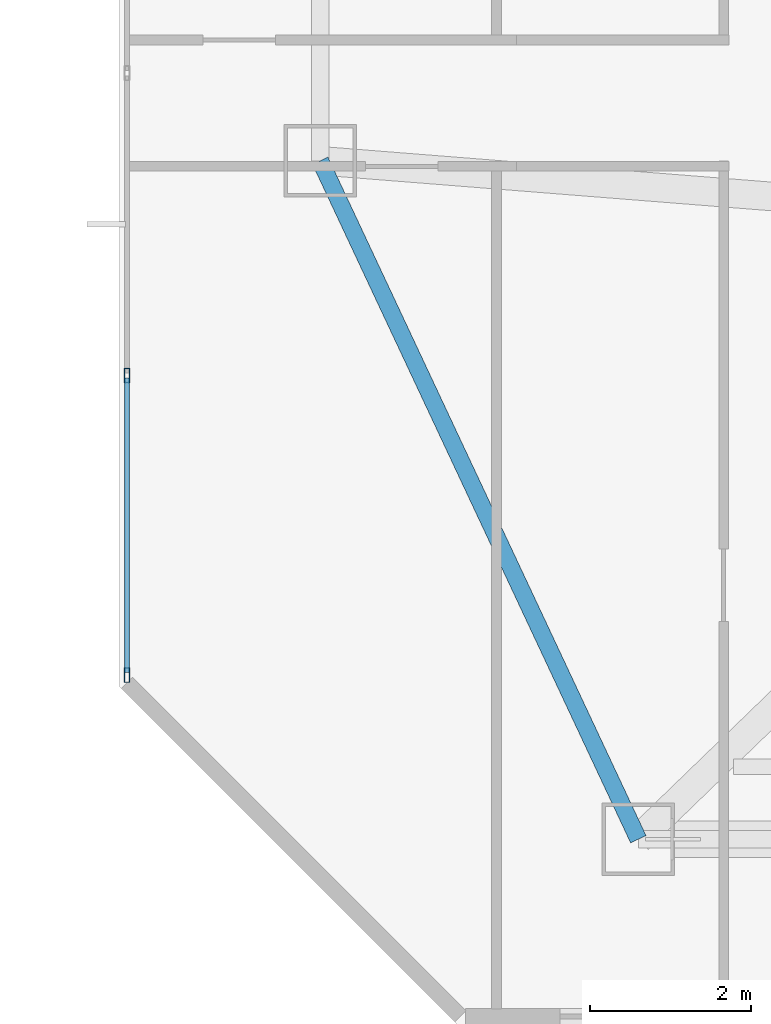
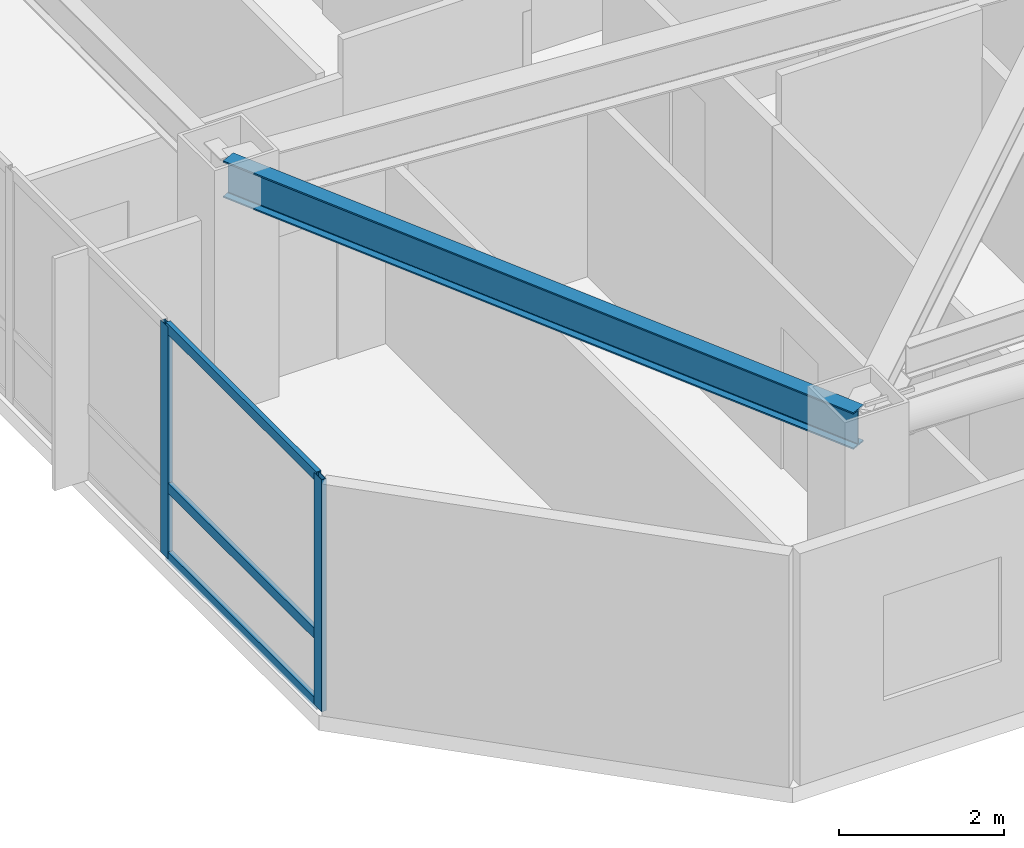
# One storey, part 2 of 16: 5 members, 1 beam, 1 element without a shape of its own.
"""IFC4 building model written with IfcOpenShell, lengths in metres."""

from ifc_helpers import new_model, si_unit, direction, frame, origin, origin_2d, place, context, subcontext, project, spatial, hollow_rectangle, i_section, extrude, material, material_profile, profile_set, type_object, element, aggregate, save


model = new_model("IFC4")

# Units and contexts
model_context = context("Model", 3, precision=1e-05, world=origin(), true_north=direction((0.0, 1.0)))
body_context = subcontext(model_context, "Body", "Model", "MODEL_VIEW")
ifc_project = project(units=[si_unit("LENGTHUNIT", "METRE"), si_unit("AREAUNIT", "SQUARE_METRE"), si_unit("VOLUMEUNIT", "CUBIC_METRE"), si_unit("PLANEANGLEUNIT", "RADIAN"), si_unit("MASSUNIT", "GRAM", prefix="KILO")], contexts=[model_context])

# Site, building, storey
site_placement = place(None, origin())
site = spatial("IfcSite", under=ifc_project, at=site_placement, CompositionType="ELEMENT")
building_placement = place(site_placement, origin())
building = spatial("IfcBuilding", under=site, at=building_placement, Name="Khamvora Tower", CompositionType="ELEMENT")
storey_placement = place(building_placement, frame((0.0, 0.0, 170.5)))
storey = spatial("IfcBuildingStorey", under=building, at=storey_placement, Name="L43", CompositionType="ELEMENT", Elevation=170.5)

# Beam
ifc_material_1 = material(Name="Steel S355", Category="steel")
ifc_material_profile_1 = material_profile(ifc_material_1, i_section(OverallWidth=0.2119140625, OverallDepth=0.5439453125, WebThickness=0.012939453125, FlangeThickness=0.02099609375, FilletRadius=0.013916015625, at=origin_2d()), Name="W530x123")
ifc_profile_set_1 = profile_set([ifc_material_profile_1], Name="Steel S355")
beam_type = type_object("IfcBeamType", Name="BM-SP-W530x123", PredefinedType="SPANDREL", material=ifc_profile_set_1)
beam_placement = place(storey_placement, frame((17.300048828125, 19.925048828125, 3.157958984375), z_axis=(0.424496391454, -0.905429629315, 0.0), x_axis=(0.905429629315, 0.424496391454, 0.0)))
element("IfcBeam", 1, at=beam_placement, inside=storey, type_object=beam_type, Name="L43 perimeter spandrel beam W1-S1", PredefinedType="SPANDREL", context=body_context, shape_type="SweptSolid", body=[
    extrude(i_section(OverallWidth=0.2119140625, OverallDepth=0.5439453125, WebThickness=0.012939453125, FlangeThickness=0.02099609375, FilletRadius=0.013916015625, at=origin_2d()), origin(), (0.0, 0.0, 1.0), 9.304931640625),
])

# Curtain wall, members
ifc_material_2 = material(Name="Anodised Aluminium 6063-T6", Category="aluminium")
curtain_wall_type = type_object("IfcCurtainWallType", Name="CW-SYS-04", PredefinedType="NOTDEFINED", material=ifc_material_2)
curtain_wall_placement = place(storey_placement, origin())
curtain_wall = element("IfcCurtainWall", 2, at=curtain_wall_placement, inside=storey, type_object=curtain_wall_type, Name="L43 stick curtain wall 02.1", PredefinedType="NOTDEFINED")
ifc_material_profile_2 = material_profile(ifc_material_2, hollow_rectangle(XDim=0.06494140625, YDim=0.179931640625, WallThickness=0.0048828125, at=origin_2d()), Name="MUL65x180x5")
ifc_profile_set_2 = profile_set([ifc_material_profile_2], Name="Anodised Aluminium 6063-T6")
member_type_1 = type_object("IfcMemberType", Name="CW-SYS-04-MUL", PredefinedType="MULLION", material=ifc_profile_set_2)
member_1_placement = place(storey_placement, frame((14.89990234375, 13.53662109375, 0.0), z_axis=(0.0, 0.0, 1.0), x_axis=(-1.0, 0.0, 0.0)))
member_1 = element("IfcMember", 3, at=member_1_placement, type_object=member_type_1, Name="CW-04 mullion 1", PredefinedType="MULLION", context=body_context, shape_type="SweptSolid", body=[
    extrude(hollow_rectangle(XDim=0.06494140625, YDim=0.179931640625, WallThickness=0.0048828125, at=origin_2d()), origin(), (0.0, 0.0, 1.0), 3.429931640625),
])
member_2_placement = place(storey_placement, frame((14.89990234375, 17.25830078125, 0.0), z_axis=(0.0, 0.0, 1.0), x_axis=(-1.0, 0.0, 0.0)))
member_2 = element("IfcMember", 4, at=member_2_placement, type_object=member_type_1, Name="CW-04 mullion 2", PredefinedType="MULLION", context=body_context, shape_type="SweptSolid", body=[
    extrude(hollow_rectangle(XDim=0.06494140625, YDim=0.179931640625, WallThickness=0.0048828125, at=origin_2d()), origin(), (0.0, 0.0, 1.0), 3.429931640625),
])
ifc_material_profile_3 = material_profile(ifc_material_2, hollow_rectangle(XDim=0.06494140625, YDim=0.14990234375, WallThickness=0.0048828125, at=origin_2d()), Name="TRN65x150x5")
ifc_profile_set_3 = profile_set([ifc_material_profile_3], Name="Anodised Aluminium 6063-T6")
member_type_2 = type_object("IfcMemberType", Name="CW-SYS-04-TRN", PredefinedType="USERDEFINED", material=ifc_profile_set_3)
member_3_placement = place(storey_placement, frame((14.89990234375, 13.569091796875, 0.032470703125), z_axis=(0.0, 1.0, 0.0), x_axis=(-1.0, 0.0, 0.0)))
member_3 = element("IfcMember", 5, at=member_3_placement, type_object=member_type_2, Name="CW-04 transom 1.1", ObjectType="TRANSOM", PredefinedType="USERDEFINED", context=body_context, shape_type="SweptSolid", body=[
    extrude(hollow_rectangle(XDim=0.06494140625, YDim=0.14990234375, WallThickness=0.0048828125, at=origin_2d()), origin(), (0.0, 0.0, 1.0), 3.65673828125),
])
member_4_placement = place(storey_placement, frame((14.89990234375, 13.569091796875, 1.050048828125), z_axis=(0.0, 1.0, 0.0), x_axis=(-1.0, 0.0, 0.0)))
member_4 = element("IfcMember", 6, at=member_4_placement, type_object=member_type_2, Name="CW-04 transom 1.2", ObjectType="TRANSOM", PredefinedType="USERDEFINED", context=body_context, shape_type="SweptSolid", body=[
    extrude(hollow_rectangle(XDim=0.06494140625, YDim=0.14990234375, WallThickness=0.0048828125, at=origin_2d()), origin(), (0.0, 0.0, 1.0), 3.65673828125),
])
member_5_placement = place(storey_placement, frame((14.89990234375, 13.569091796875, 3.3974609375), z_axis=(0.0, 1.0, 0.0), x_axis=(-1.0, 0.0, 0.0)))
member_5 = element("IfcMember", 7, at=member_5_placement, type_object=member_type_2, Name="CW-04 transom 1.3", ObjectType="TRANSOM", PredefinedType="USERDEFINED", context=body_context, shape_type="SweptSolid", body=[
    extrude(hollow_rectangle(XDim=0.06494140625, YDim=0.14990234375, WallThickness=0.0048828125, at=origin_2d()), origin(), (0.0, 0.0, 1.0), 3.65673828125),
])
aggregate(curtain_wall, [member_1, member_2, member_3, member_4, member_5])

save(model, "model.ifc")
